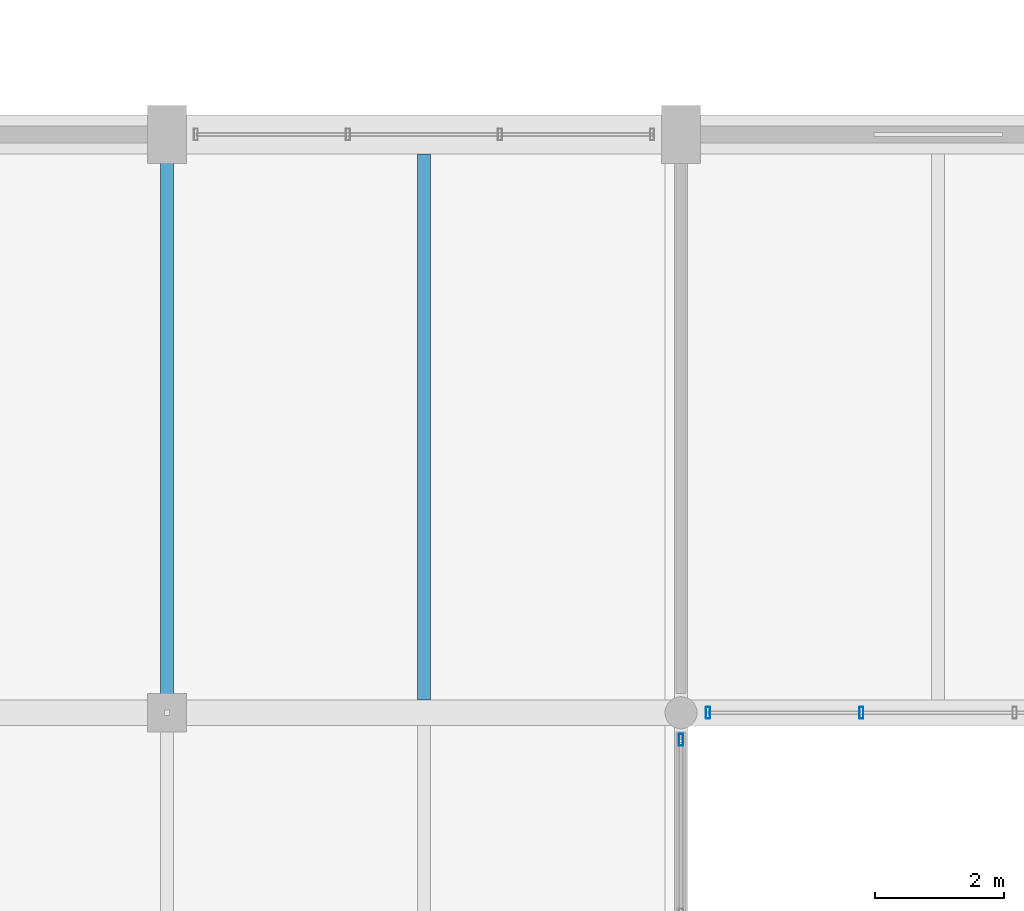
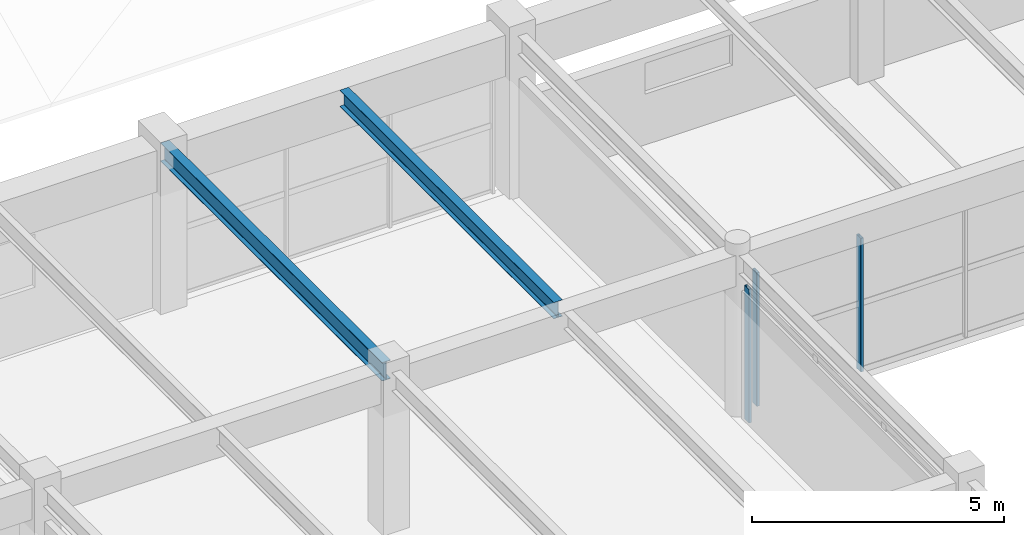
# One storey, part 17 of 126: 3 members, 2 beams, 2 elements without a shape of their own.
"""IFC4 building model written with IfcOpenShell, lengths in metres."""

from ifc_helpers import new_model, si_unit, direction, frame, origin, origin_2d, place, context, subcontext, project, spatial, hollow_rectangle, i_section, extrude, material, material_profile, profile_set, type_object, element, aggregate, save


model = new_model("IFC4")

# Units and contexts
model_context = context("Model", 3, precision=1e-05, world=origin(), true_north=direction((0.0, 1.0)))
body_context = subcontext(model_context, "Body", "Model", "MODEL_VIEW")
ifc_project = project(units=[si_unit("LENGTHUNIT", "METRE"), si_unit("AREAUNIT", "SQUARE_METRE"), si_unit("VOLUMEUNIT", "CUBIC_METRE"), si_unit("PLANEANGLEUNIT", "RADIAN"), si_unit("MASSUNIT", "GRAM", prefix="KILO")], contexts=[model_context])

# Site, building, storey
site_placement = place(None, origin())
site = spatial("IfcSite", under=ifc_project, at=site_placement, CompositionType="ELEMENT")
building_placement = place(site_placement, origin())
building = spatial("IfcBuilding", under=site, at=building_placement, Name="Varnabhumi Central Station", CompositionType="ELEMENT")
storey_placement = place(building_placement, frame((0.0, 0.0, 16.199951171875)))
storey = spatial("IfcBuildingStorey", under=building, at=storey_placement, Name="L03", CompositionType="ELEMENT", Elevation=16.199951171875)

# Beams
ifc_material_1 = material(Name="Structural steel E350", Category="steel")
ifc_material_profile_1 = material_profile(ifc_material_1, i_section(OverallWidth=0.199951171875, OverallDepth=0.39990234375, WebThickness=0.008544921875, FlangeThickness=0.012939453125, FilletRadius=0.012939453125, at=origin_2d()), Name="Structural steel E350", Category="steel")
ifc_profile_set_1 = profile_set([ifc_material_profile_1], Name="Structural steel E350")
beam_type_1 = type_object("IfcBeamType", Name="BM-SEC-ISWB400", PredefinedType="JOIST", material=ifc_profile_set_1)
beam_1_placement = place(storey_placement, frame((108.0, 27.199951171875, 3.719970703125), z_axis=(0.0, 1.0, 0.0), x_axis=(-1.0, 0.0, 0.0)))
element("IfcBeam", 1, at=beam_1_placement, inside=storey, type_object=beam_type_1, Name="Secondary Joist L03-14/15:D-E", PredefinedType="JOIST", context=body_context, shape_type="SweptSolid", body=[
    extrude(i_section(OverallWidth=0.199951171875, OverallDepth=0.39990234375, WebThickness=0.008544921875, FlangeThickness=0.012939453125, FilletRadius=0.012939453125, at=origin_2d()), origin(), (0.0, 0.0, 1.0), 8.5),
])
ifc_material_profile_2 = material_profile(ifc_material_1, i_section(OverallWidth=0.199951171875, OverallDepth=0.449951171875, WebThickness=0.00927734375, FlangeThickness=0.015380859375, FilletRadius=0.013916015625, at=origin_2d()), Name="Structural steel E350", Category="steel")
ifc_profile_set_2 = profile_set([ifc_material_profile_2], Name="Structural steel E350")
beam_type_2 = type_object("IfcBeamType", Name="BM-STL-ISWB450", PredefinedType="BEAM", material=ifc_profile_set_2)
beam_2_placement = place(storey_placement, frame((104.0, 27.10009765625, 3.695068359375), z_axis=(0.0, 1.0, 0.0), x_axis=(-1.0, 0.0, 0.0)))
element("IfcBeam", 2, at=beam_2_placement, inside=storey, type_object=beam_type_2, Name="Beam L03-14:D-E", PredefinedType="BEAM", context=body_context, shape_type="SweptSolid", body=[
    extrude(i_section(OverallWidth=0.199951171875, OverallDepth=0.449951171875, WebThickness=0.00927734375, FlangeThickness=0.015380859375, FilletRadius=0.013916015625, at=origin_2d()), origin(), (0.0, 0.0, 1.0), 8.7998046875),
])

# Curtain wall, member
ifc_material_2 = material(Name="Anodised aluminium 6063-T6", Category="aluminium")
curtain_wall_type = type_object("IfcCurtainWallType", Name="CW-PATIO-LOGGIA-L3", PredefinedType="NOTDEFINED", material=ifc_material_2)
curtain_wall_1_placement = place(storey_placement, origin())
curtain_wall_1 = element("IfcCurtainWall", 3, at=curtain_wall_1_placement, inside=storey, type_object=curtain_wall_type, Name="Curtain Wall CW-SP3E2", PredefinedType="NOTDEFINED")
ifc_material_profile_3 = material_profile(ifc_material_2, hollow_rectangle(XDim=0.06494140625, YDim=0.179931640625, WallThickness=0.00390625, InnerFilletRadius=0.001953125, OuterFilletRadius=0.006103515625, at=origin_2d()), Name="Anodised aluminium 6063-T6", Category="aluminium")
ifc_profile_set_3 = profile_set([ifc_material_profile_3], Name="Anodised aluminium 6063-T6")
member_type = type_object("IfcMemberType", Name="CW-MUL-180", PredefinedType="MULLION", material=ifc_profile_set_3)
member_1_placement = place(storey_placement, frame((112.0, 26.580078125, 0.0), z_axis=(0.0, 0.0, 1.0), x_axis=(1.0, 0.0, 0.0)))
member_1 = element("IfcMember", 4, at=member_1_placement, type_object=member_type, Name="Curtain Wall Mullion CW-SP3E2-M4", PredefinedType="MULLION", context=body_context, shape_type="SweptSolid", body=[
    extrude(hollow_rectangle(XDim=0.06494140625, YDim=0.179931640625, WallThickness=0.00390625, InnerFilletRadius=0.001953125, OuterFilletRadius=0.006103515625, at=origin_2d()), origin(), (0.0, 0.0, 1.0), 3.239990234375),
])
aggregate(curtain_wall_1, [member_1])

# Curtain wall, members
curtain_wall_2_placement = place(storey_placement, origin())
curtain_wall_2 = element("IfcCurtainWall", 5, at=curtain_wall_2_placement, inside=storey, type_object=curtain_wall_type, Name="Curtain Wall CW-SP3N1", PredefinedType="NOTDEFINED")
member_2_placement = place(storey_placement, frame((112.419921875, 27.0, 0.0), z_axis=(0.0, 0.0, 1.0), x_axis=(1.0, 0.0, 0.0)))
member_2 = element("IfcMember", 6, at=member_2_placement, type_object=member_type, Name="Curtain Wall Mullion CW-SP3N1-M1", PredefinedType="MULLION", context=body_context, shape_type="SweptSolid", body=[
    extrude(hollow_rectangle(XDim=0.06494140625, YDim=0.179931640625, WallThickness=0.00390625, InnerFilletRadius=0.001953125, OuterFilletRadius=0.006103515625, at=origin_2d()), origin(), (0.0, 0.0, 1.0), 3.239990234375),
])
member_3_placement = place(storey_placement, frame((114.806640625, 27.0, 0.0), z_axis=(0.0, 0.0, 1.0), x_axis=(1.0, 0.0, 0.0)))
member_3 = element("IfcMember", 7, at=member_3_placement, type_object=member_type, Name="Curtain Wall Mullion CW-SP3N1-M2", PredefinedType="MULLION", context=body_context, shape_type="SweptSolid", body=[
    extrude(hollow_rectangle(XDim=0.06494140625, YDim=0.179931640625, WallThickness=0.00390625, InnerFilletRadius=0.001953125, OuterFilletRadius=0.006103515625, at=origin_2d()), origin(), (0.0, 0.0, 1.0), 3.239990234375),
])
aggregate(curtain_wall_2, [member_2, member_3])

save(model, "model.ifc")
